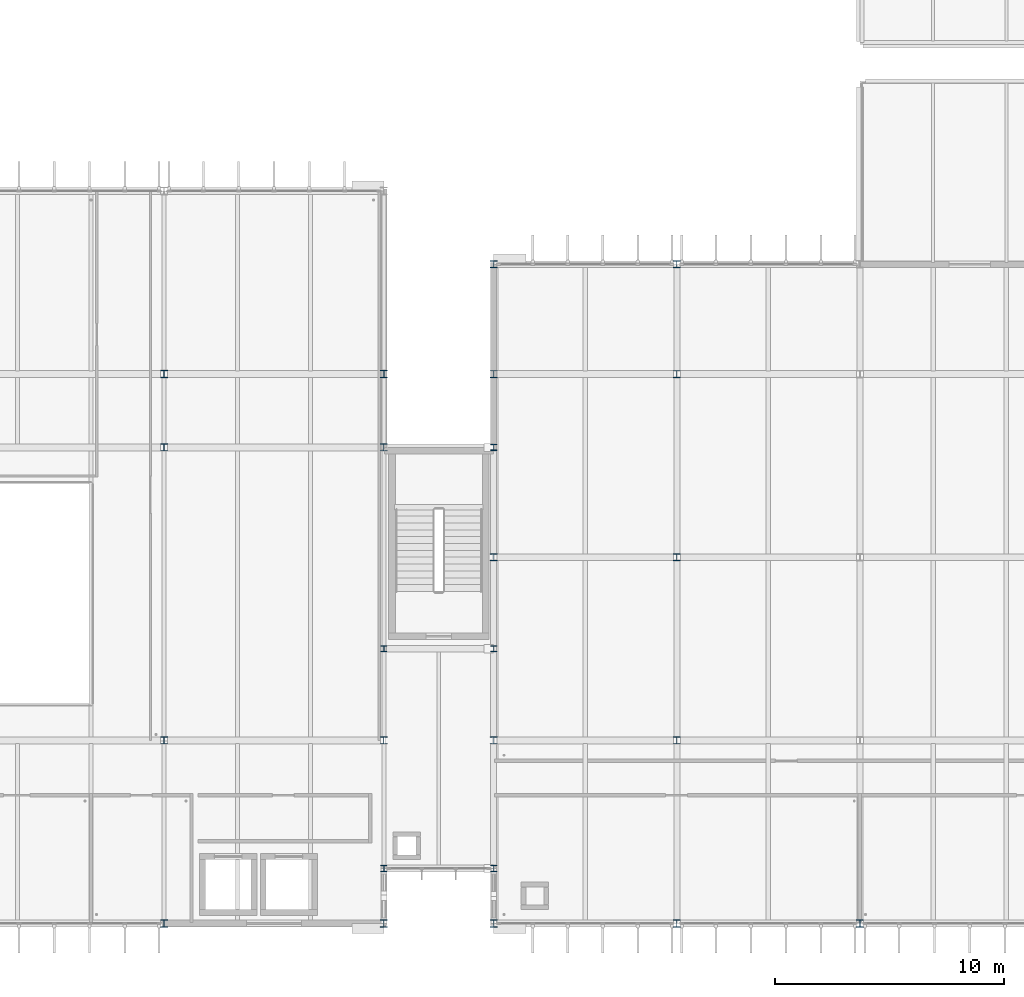
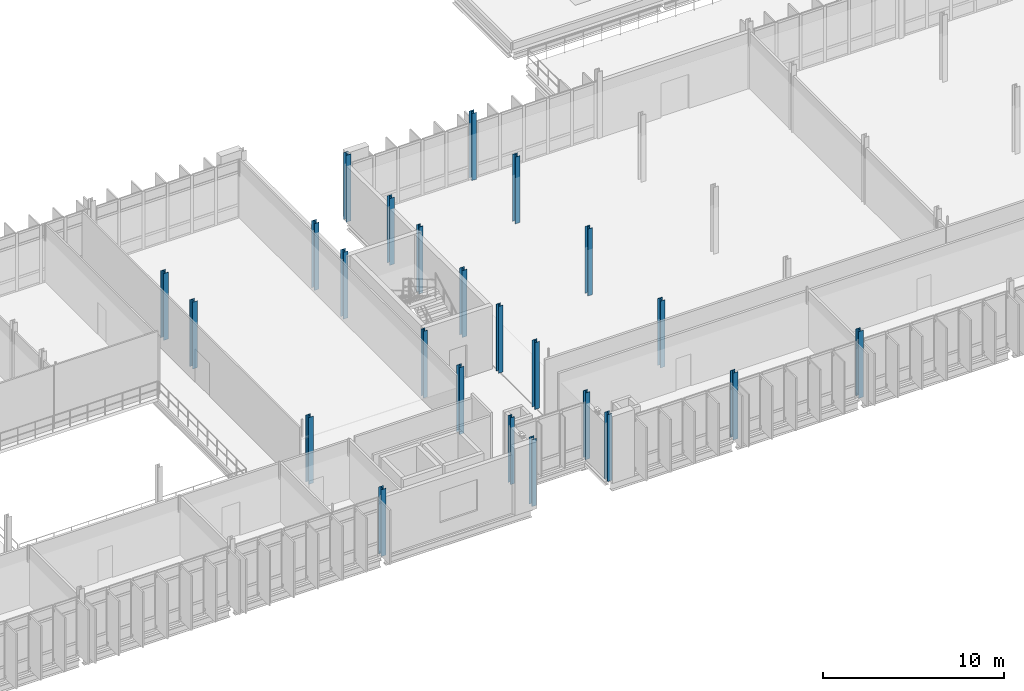
# One storey, part 6 of 110: 24 columns.
"""IFC4 building model written with IfcOpenShell, lengths in metres."""

from ifc_helpers import new_model, si_unit, direction, frame, origin, origin_2d, place, context, subcontext, project, spatial, i_section, extrude, material, material_profile, profile_set, type_object, element, save


model = new_model("IFC4")

# Units and contexts
model_context = context("Model", 3, precision=1e-05, world=origin(), true_north=direction((0.0, 1.0)))
body_context = subcontext(model_context, "Body", "Model", "MODEL_VIEW")
ifc_project = project(units=[si_unit("LENGTHUNIT", "METRE"), si_unit("AREAUNIT", "SQUARE_METRE"), si_unit("VOLUMEUNIT", "CUBIC_METRE"), si_unit("PLANEANGLEUNIT", "RADIAN"), si_unit("MASSUNIT", "GRAM", prefix="KILO")], contexts=[model_context])

# Site, building, storey
site_placement = place(None, origin())
site = spatial("IfcSite", under=ifc_project, at=site_placement, CompositionType="ELEMENT")
building_placement = place(site_placement, origin())
building = spatial("IfcBuilding", under=site, at=building_placement, Name="Dunescarp Central Library", CompositionType="ELEMENT")
storey_placement = place(building_placement, frame((0.0, 0.0, 9.60009765625)))
storey = spatial("IfcBuildingStorey", under=building, at=storey_placement, Name="L02", CompositionType="ELEMENT", Elevation=9.60009765625)

# Columns
ifc_material = material(Name="Steel S355JR", Category="steel")
ifc_material_profile_1 = material_profile(ifc_material, i_section(OverallWidth=0.26123046875, OverallDepth=0.2763671875, WebThickness=0.015380859375, FlangeThickness=0.025390625, at=origin_2d()), Name="UC 254x254x132")
ifc_profile_set_1 = profile_set([ifc_material_profile_1], Name="Steel S355JR")
column_type_1 = type_object("IfcColumnType", Name="STR-COL-UC254X132", PredefinedType="COLUMN", material=ifc_profile_set_1)
for number, where, z_axis, x_axis, name in (
    (1, (76.800048828125, 7.199951171875, 0.0), (0.0, 0.0, 1.0), (1.0, 0.0, 0.0), "L02 column V2L-768-72"),
    (2, (76.800048828125, 16.800048828125, 0.0), (0.0, 0.0, 1.0), (1.0, 0.0, 0.0), "L02 column V2L-768-168"),
    (3, (81.60009765625, 7.199951171875, 0.0), (0.0, 0.0, 1.0), (1.0, 0.0, 0.0), "L02 column V3L-816-72"),
    (4, (81.60009765625, 16.800048828125, 0.0), (0.0, 0.0, 1.0), (1.0, 0.0, 0.0), "L02 column V3L-816-168"),
    (5, (81.60009765625, 25.60009765625, 0.0), (0.0, 0.0, 1.0), (1.0, 0.0, 0.0), "L02 column V3L-816-256"),
):
    element("IfcColumn", number, at=place(storey_placement, frame(where, z_axis=z_axis, x_axis=x_axis)), inside=storey, type_object=column_type_1, Name=name, PredefinedType="COLUMN", context=body_context, shape_type="SweptSolid", body=[
        extrude(i_section(OverallWidth=0.26123046875, OverallDepth=0.2763671875, WebThickness=0.015380859375, FlangeThickness=0.025390625, at=origin_2d()), origin(), (0.0, 0.0, 1.0), 4.5),
    ])
ifc_material_profile_2 = material_profile(ifc_material, i_section(OverallWidth=0.307373046875, OverallDepth=0.314453125, WebThickness=0.011962890625, FlangeThickness=0.018798828125, at=origin_2d()), Name="UC 305x305x118")
ifc_profile_set_2 = profile_set([ifc_material_profile_2], Name="Steel S355JR")
column_type_2 = type_object("IfcColumnType", Name="STR-COL-UC305X118", PredefinedType="COLUMN", material=ifc_profile_set_2)
for number, where, z_axis, x_axis, name in (
    (6, (67.199951171875, 4.800048828125, 0.0), (0.0, 0.0, 1.0), (1.0, 0.0, 0.0), "L02 column V2-672-48"),
    (7, (67.199951171875, 12.800048828125, 0.0), (0.0, 0.0, 1.0), (1.0, 0.0, 0.0), "L02 column V2-672-128"),
    (8, (67.199951171875, 25.60009765625, 0.0), (0.0, 0.0, 1.0), (1.0, 0.0, 0.0), "L02 column V2-672-256"),
    (9, (76.800048828125, 4.800048828125, 0.0), (0.0, 0.0, 1.0), (1.0, 0.0, 0.0), "L02 column V2-768-48"),
    (10, (76.800048828125, 12.800048828125, 0.0), (0.0, 0.0, 1.0), (1.0, 0.0, 0.0), "L02 column V2-768-128"),
    (11, (76.800048828125, 25.60009765625, 0.0), (0.0, 0.0, 1.0), (1.0, 0.0, 0.0), "L02 column V2-768-256"),
    (12, (81.60009765625, 4.800048828125, 0.0), (0.0, 0.0, 1.0), (1.0, 0.0, 0.0), "L02 column V3-816-48"),
    (13, (81.60009765625, 12.800048828125, 0.0), (0.0, 0.0, 1.0), (1.0, 0.0, 0.0), "L02 column V3-816-128"),
    (14, (81.60009765625, 20.800048828125, 0.0), (0.0, 0.0, 1.0), (1.0, 0.0, 0.0), "L02 column V3-816-208"),
    (15, (81.60009765625, 28.800048828125, 0.0), (0.0, 0.0, 1.0), (1.0, 0.0, 0.0), "L02 column V3-816-288"),
    (16, (81.60009765625, 33.60009765625, 0.0), (0.0, 0.0, 1.0), (1.0, 0.0, 0.0), "L02 column V3-816-336"),
    (17, (89.60009765625, 4.800048828125, 0.0), (0.0, 0.0, 1.0), (1.0, 0.0, 0.0), "L02 column V3-896-48"),
    (18, (89.60009765625, 12.800048828125, 0.0), (0.0, 0.0, 1.0), (1.0, 0.0, 0.0), "L02 column V3-896-128"),
    (19, (89.60009765625, 20.800048828125, 0.0), (0.0, 0.0, 1.0), (1.0, 0.0, 0.0), "L02 column V3-896-208"),
    (20, (89.60009765625, 28.800048828125, 0.0), (0.0, 0.0, 1.0), (1.0, 0.0, 0.0), "L02 column V3-896-288"),
    (21, (89.60009765625, 33.60009765625, 0.0), (0.0, 0.0, 1.0), (1.0, 0.0, 0.0), "L02 column V3-896-336"),
    (22, (97.60009765625, 4.800048828125, 0.0), (0.0, 0.0, 1.0), (1.0, 0.0, 0.0), "L02 column V3-976-48"),
):
    element("IfcColumn", number, at=place(storey_placement, frame(where, z_axis=z_axis, x_axis=x_axis)), inside=storey, type_object=column_type_2, Name=name, PredefinedType="COLUMN", context=body_context, shape_type="SweptSolid", body=[
        extrude(i_section(OverallWidth=0.307373046875, OverallDepth=0.314453125, WebThickness=0.011962890625, FlangeThickness=0.018798828125, at=origin_2d()), origin(), (0.0, 0.0, 1.0), 4.5),
    ])
ifc_material_profile_3 = material_profile(ifc_material, i_section(OverallWidth=0.311279296875, OverallDepth=0.3271484375, WebThickness=0.015869140625, FlangeThickness=0.02490234375, at=origin_2d()), Name="UC 305x305x158")
ifc_profile_set_3 = profile_set([ifc_material_profile_3], Name="Steel S355JR")
column_type_3 = type_object("IfcColumnType", Name="STR-COL-UC305X158", PredefinedType="COLUMN", material=ifc_profile_set_3)
for number, where, z_axis, x_axis, name in (
    (23, (67.199951171875, 28.800048828125, 0.0), (0.0, 0.0, 1.0), (1.0, 0.0, 0.0), "L02 column V2N5-672"),
    (24, (76.800048828125, 28.800048828125, 0.0), (0.0, 0.0, 1.0), (1.0, 0.0, 0.0), "L02 column V2N5-768"),
):
    element("IfcColumn", number, at=place(storey_placement, frame(where, z_axis=z_axis, x_axis=x_axis)), inside=storey, type_object=column_type_3, Name=name, PredefinedType="COLUMN", context=body_context, shape_type="SweptSolid", body=[
        extrude(i_section(OverallWidth=0.311279296875, OverallDepth=0.3271484375, WebThickness=0.015869140625, FlangeThickness=0.02490234375, at=origin_2d()), origin(), (0.0, 0.0, 1.0), 4.5),
    ])

save(model, "model.ifc")
